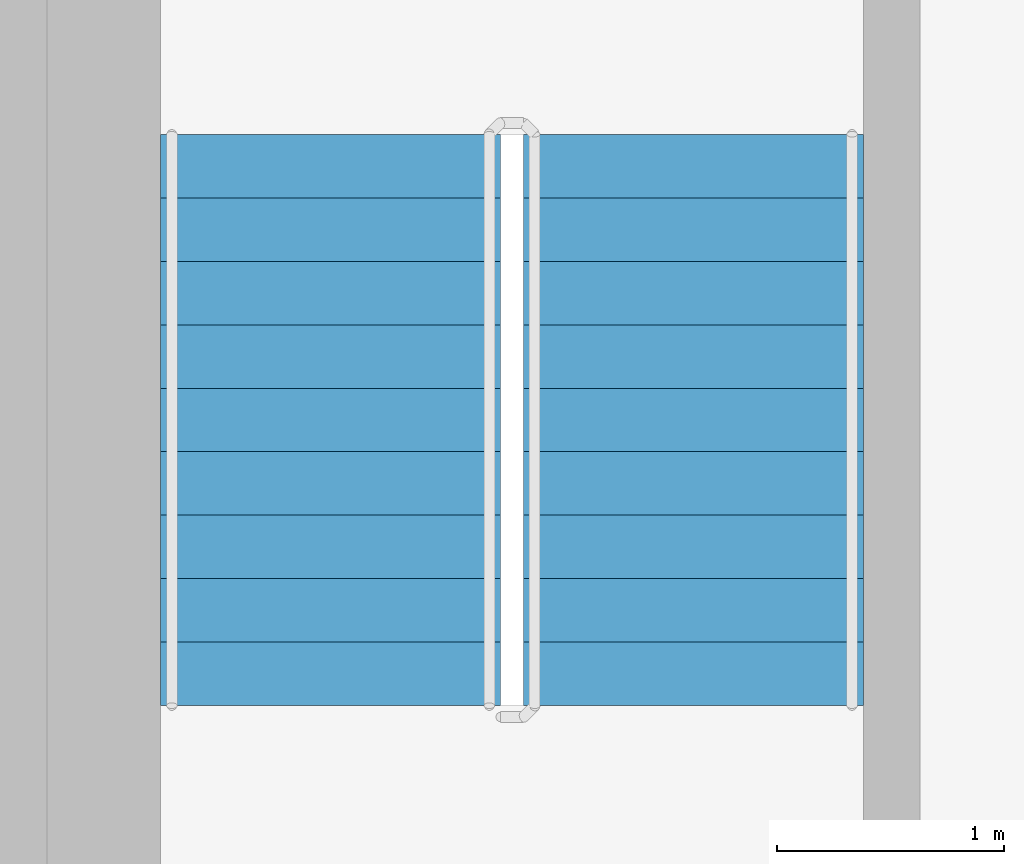
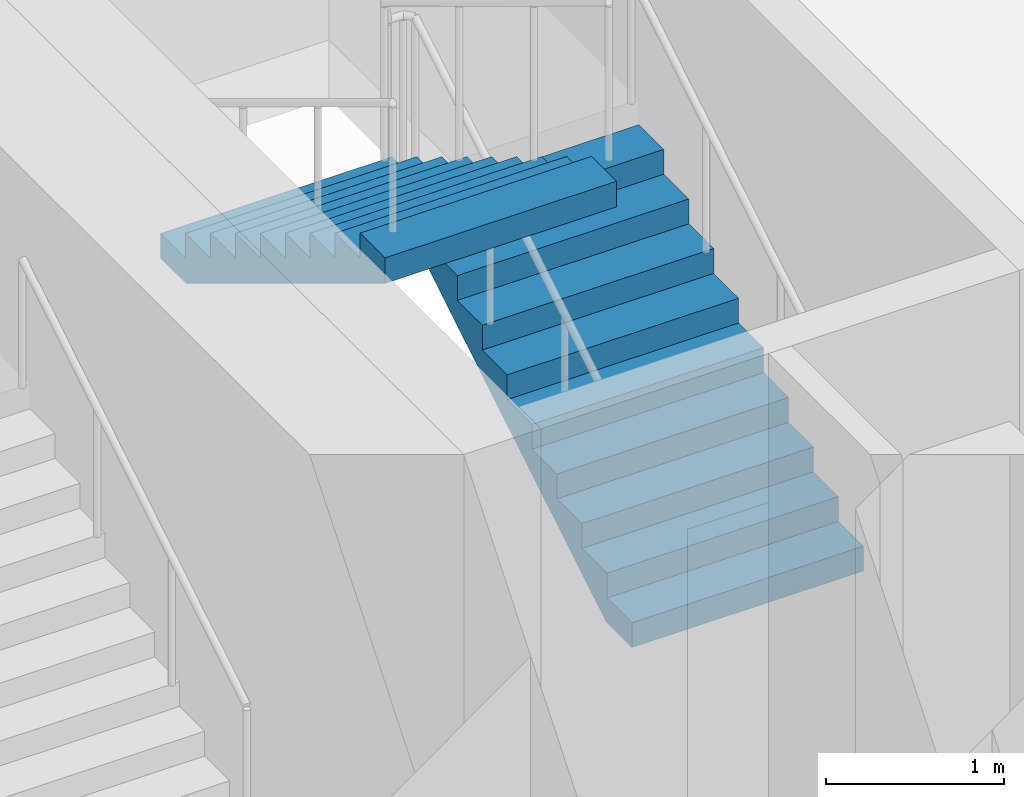
# One storey, part 14 of 16: 2 stair flights, 1 element without a shape of its own.
"""IFC4 building model written with IfcOpenShell, lengths in metres."""

from ifc_helpers import new_model, si_unit, direction, frame, origin, place, context, subcontext, project, spatial, triangles, source, transform, mapped, material, type_object, element, aggregate, save


model = new_model("IFC4")

# Units and contexts
model_context = context("Model", 3, precision=1e-05, world=origin(), true_north=direction((0.0, 1.0)))
body_context = subcontext(model_context, "Body", "Model", "MODEL_VIEW")
ifc_project = project(units=[si_unit("LENGTHUNIT", "METRE"), si_unit("AREAUNIT", "SQUARE_METRE"), si_unit("VOLUMEUNIT", "CUBIC_METRE"), si_unit("PLANEANGLEUNIT", "RADIAN"), si_unit("MASSUNIT", "GRAM", prefix="KILO")], contexts=[model_context])

# Site, building, storey
site_placement = place(None, origin())
site = spatial("IfcSite", under=ifc_project, at=site_placement, CompositionType="ELEMENT")
building_placement = place(site_placement, origin())
building = spatial("IfcBuilding", under=site, at=building_placement, Name="Kilnfold Tower and Market Hall", CompositionType="ELEMENT")
storey_placement = place(building_placement, frame((0.0, 0.0, 199.89990234375)))
storey = spatial("IfcBuildingStorey", under=building, at=storey_placement, Name="L48", CompositionType="ELEMENT", Elevation=199.89990234375)

# Stair, stair flights
ifc_material_1 = material(Name="Concrete C40/50", Category="concrete")
stair_type = type_object("IfcStairType", Name="CORE STAIR 1500", PredefinedType="HALF_TURN_STAIR", material=ifc_material_1)
stair_placement = place(storey_placement, origin())
stair = element("IfcStair", 1, at=stair_placement, inside=storey, type_object=stair_type, Name="L48 ST5", PredefinedType="HALF_TURN_STAIR")
ifc_material_2 = material(Name="Concrete C40/50", Category="concrete")
stair_flight_type = type_object("IfcStairFlightType", Name="CORE STAIR FLIGHT 1500", PredefinedType="STRAIGHT", material=ifc_material_2)
shared_shape = source(origin(), body_context, "Body", "Tessellation", [
    triangles([(0.0, 0.75, 0.0), (0.0, 0.65625, 0.0), (0.0, 0.5625, 0.0), (0.0, 0.46875, 0.0), (0.0, 0.375, 0.0), (0.0, 0.28125, 0.0), (0.0, 0.1875, 0.0), (0.0, 0.09375, 0.0), (0.0, 0.0, 0.0), (0.0, -0.09375, 0.0), (0.0, -0.1875, 0.0), (0.0, -0.28125, 0.0), (0.0, -0.375, 0.0), (0.0, -0.46875, 0.0), (0.0, -0.5625, 0.0), (0.0, -0.65625, 0.0), (0.0, -0.75, 0.0), (0.0, 0.75, 0.169921875), (0.0, 0.65625, 0.169921875), (0.0, 0.5625, 0.169921875), (0.0, 0.46875, 0.169921875), (0.0, 0.375, 0.169921875), (0.0, 0.28125, 0.169921875), (0.0, 0.1875, 0.169921875), (0.0, 0.09375, 0.169921875), (0.0, 0.0, 0.169921875), (0.0, -0.09375, 0.169921875), (0.0, -0.1875, 0.169921875), (0.0, -0.28125, 0.169921875), (0.0, -0.375, 0.169921875), (0.0, -0.46875, 0.169921875), (0.0, -0.5625, 0.169921875), (0.0, -0.65625, 0.169921875), (0.0, -0.75, 0.169921875), (0.280029296875, 0.75, 0.169921875), (0.280029296875, 0.65625, 0.169921875), (0.280029296875, 0.5625, 0.169921875), (0.280029296875, 0.46875, 0.169921875), (0.280029296875, 0.375, 0.169921875), (0.280029296875, 0.28125, 0.169921875), (0.280029296875, 0.1875, 0.169921875), (0.280029296875, 0.09375, 0.169921875), (0.280029296875, 0.0, 0.169921875), (0.280029296875, -0.09375, 0.169921875), (0.280029296875, -0.1875, 0.169921875), (0.280029296875, -0.28125, 0.169921875), (0.280029296875, -0.375, 0.169921875), (0.280029296875, -0.46875, 0.169921875), (0.280029296875, -0.5625, 0.169921875), (0.280029296875, -0.65625, 0.169921875), (0.280029296875, -0.75, 0.169921875), (0.280029296875, 0.75, 0.340087890625), (0.280029296875, 0.65625, 0.340087890625), (0.280029296875, 0.5625, 0.340087890625), (0.280029296875, 0.46875, 0.340087890625), (0.280029296875, 0.375, 0.340087890625), (0.280029296875, 0.28125, 0.340087890625), (0.280029296875, 0.1875, 0.340087890625), (0.280029296875, 0.09375, 0.340087890625), (0.280029296875, 0.0, 0.340087890625), (0.280029296875, -0.09375, 0.340087890625), (0.280029296875, -0.1875, 0.340087890625), (0.280029296875, -0.28125, 0.340087890625), (0.280029296875, -0.375, 0.340087890625), (0.280029296875, -0.46875, 0.340087890625), (0.280029296875, -0.5625, 0.340087890625), (0.280029296875, -0.65625, 0.340087890625), (0.280029296875, -0.75, 0.340087890625), (0.56005859375, 0.75, 0.340087890625), (0.56005859375, 0.65625, 0.340087890625), (0.56005859375, 0.5625, 0.340087890625), (0.56005859375, 0.46875, 0.340087890625), (0.56005859375, 0.375, 0.340087890625), (0.56005859375, 0.28125, 0.340087890625), (0.56005859375, 0.1875, 0.340087890625), (0.56005859375, 0.09375, 0.340087890625), (0.56005859375, 0.0, 0.340087890625), (0.56005859375, -0.09375, 0.340087890625), (0.56005859375, -0.1875, 0.340087890625), (0.56005859375, -0.28125, 0.340087890625), (0.56005859375, -0.375, 0.340087890625), (0.56005859375, -0.46875, 0.340087890625), (0.56005859375, -0.5625, 0.340087890625), (0.56005859375, -0.65625, 0.340087890625), (0.56005859375, -0.75, 0.340087890625), (0.56005859375, 0.75, 0.510009765625), (0.56005859375, 0.65625, 0.510009765625), (0.56005859375, 0.5625, 0.510009765625), (0.56005859375, 0.46875, 0.510009765625), (0.56005859375, 0.375, 0.510009765625), (0.56005859375, 0.28125, 0.510009765625), (0.56005859375, 0.1875, 0.510009765625), (0.56005859375, 0.09375, 0.510009765625), (0.56005859375, 0.0, 0.510009765625), (0.56005859375, -0.09375, 0.510009765625), (0.56005859375, -0.1875, 0.510009765625), (0.56005859375, -0.28125, 0.510009765625), (0.56005859375, -0.375, 0.510009765625), (0.56005859375, -0.46875, 0.510009765625), (0.56005859375, -0.5625, 0.510009765625), (0.56005859375, -0.65625, 0.510009765625), (0.56005859375, -0.75, 0.510009765625), (0.840087890625, 0.75, 0.510009765625), (0.840087890625, 0.65625, 0.510009765625), (0.840087890625, 0.5625, 0.510009765625), (0.840087890625, 0.46875, 0.510009765625), (0.840087890625, 0.375, 0.510009765625), (0.840087890625, 0.28125, 0.510009765625), (0.840087890625, 0.1875, 0.510009765625), (0.840087890625, 0.09375, 0.510009765625), (0.840087890625, 0.0, 0.510009765625), (0.840087890625, -0.09375, 0.510009765625), (0.840087890625, -0.1875, 0.510009765625), (0.840087890625, -0.28125, 0.510009765625), (0.840087890625, -0.375, 0.510009765625), (0.840087890625, -0.46875, 0.510009765625), (0.840087890625, -0.5625, 0.510009765625), (0.840087890625, -0.65625, 0.510009765625), (0.840087890625, -0.75, 0.510009765625), (0.840087890625, 0.75, 0.679931640625), (0.840087890625, 0.65625, 0.679931640625), (0.840087890625, 0.5625, 0.679931640625), (0.840087890625, 0.46875, 0.679931640625), (0.840087890625, 0.375, 0.679931640625), (0.840087890625, 0.28125, 0.679931640625), (0.840087890625, 0.1875, 0.679931640625), (0.840087890625, 0.09375, 0.679931640625), (0.840087890625, 0.0, 0.679931640625), (0.840087890625, -0.09375, 0.679931640625), (0.840087890625, -0.1875, 0.679931640625), (0.840087890625, -0.28125, 0.679931640625), (0.840087890625, -0.375, 0.679931640625), (0.840087890625, -0.46875, 0.679931640625), (0.840087890625, -0.5625, 0.679931640625), (0.840087890625, -0.65625, 0.679931640625), (0.840087890625, -0.75, 0.679931640625), (1.1201171875, 0.75, 0.679931640625), (1.1201171875, 0.65625, 0.679931640625), (1.1201171875, 0.5625, 0.679931640625), (1.1201171875, 0.46875, 0.679931640625), (1.1201171875, 0.375, 0.679931640625), (1.1201171875, 0.28125, 0.679931640625), (1.1201171875, 0.1875, 0.679931640625), (1.1201171875, 0.09375, 0.679931640625), (1.1201171875, 0.0, 0.679931640625), (1.1201171875, -0.09375, 0.679931640625), (1.1201171875, -0.1875, 0.679931640625), (1.1201171875, -0.28125, 0.679931640625), (1.1201171875, -0.375, 0.679931640625), (1.1201171875, -0.46875, 0.679931640625), (1.1201171875, -0.5625, 0.679931640625), (1.1201171875, -0.65625, 0.679931640625), (1.1201171875, -0.75, 0.679931640625), (1.1201171875, 0.75, 0.85009765625), (1.1201171875, 0.65625, 0.85009765625), (1.1201171875, 0.5625, 0.85009765625), (1.1201171875, 0.46875, 0.85009765625), (1.1201171875, 0.375, 0.85009765625), (1.1201171875, 0.28125, 0.85009765625), (1.1201171875, 0.1875, 0.85009765625), (1.1201171875, 0.09375, 0.85009765625), (1.1201171875, 0.0, 0.85009765625), (1.1201171875, -0.09375, 0.85009765625), (1.1201171875, -0.1875, 0.85009765625), (1.1201171875, -0.28125, 0.85009765625), (1.1201171875, -0.375, 0.85009765625), (1.1201171875, -0.46875, 0.85009765625), (1.1201171875, -0.5625, 0.85009765625), (1.1201171875, -0.65625, 0.85009765625), (1.1201171875, -0.75, 0.85009765625), (1.39990234375, 0.75, 0.85009765625), (1.39990234375, 0.65625, 0.85009765625), (1.39990234375, 0.5625, 0.85009765625), (1.39990234375, 0.46875, 0.85009765625), (1.39990234375, 0.375, 0.85009765625), (1.39990234375, 0.28125, 0.85009765625), (1.39990234375, 0.1875, 0.85009765625), (1.39990234375, 0.09375, 0.85009765625), (1.39990234375, 0.0, 0.85009765625), (1.39990234375, -0.09375, 0.85009765625), (1.39990234375, -0.1875, 0.85009765625), (1.39990234375, -0.28125, 0.85009765625), (1.39990234375, -0.375, 0.85009765625), (1.39990234375, -0.46875, 0.85009765625), (1.39990234375, -0.5625, 0.85009765625), (1.39990234375, -0.65625, 0.85009765625), (1.39990234375, -0.75, 0.85009765625), (1.39990234375, 0.75, 1.02001953125), (1.39990234375, 0.65625, 1.02001953125), (1.39990234375, 0.5625, 1.02001953125), (1.39990234375, 0.46875, 1.02001953125), (1.39990234375, 0.375, 1.02001953125), (1.39990234375, 0.28125, 1.02001953125), (1.39990234375, 0.1875, 1.02001953125), (1.39990234375, 0.09375, 1.02001953125), (1.39990234375, 0.0, 1.02001953125), (1.39990234375, -0.09375, 1.02001953125), (1.39990234375, -0.1875, 1.02001953125), (1.39990234375, -0.28125, 1.02001953125), (1.39990234375, -0.375, 1.02001953125), (1.39990234375, -0.46875, 1.02001953125), (1.39990234375, -0.5625, 1.02001953125), (1.39990234375, -0.65625, 1.02001953125), (1.39990234375, -0.75, 1.02001953125), (1.679931640625, 0.75, 1.02001953125), (1.679931640625, 0.65625, 1.02001953125), (1.679931640625, 0.5625, 1.02001953125), (1.679931640625, 0.46875, 1.02001953125), (1.679931640625, 0.375, 1.02001953125), (1.679931640625, 0.28125, 1.02001953125), (1.679931640625, 0.1875, 1.02001953125), (1.679931640625, 0.09375, 1.02001953125), (1.679931640625, 0.0, 1.02001953125), (1.679931640625, -0.09375, 1.02001953125), (1.679931640625, -0.1875, 1.02001953125), (1.679931640625, -0.28125, 1.02001953125), (1.679931640625, -0.375, 1.02001953125), (1.679931640625, -0.46875, 1.02001953125), (1.679931640625, -0.5625, 1.02001953125), (1.679931640625, -0.65625, 1.02001953125), (1.679931640625, -0.75, 1.02001953125), (1.679931640625, 0.75, 1.18994140625), (1.679931640625, 0.65625, 1.18994140625), (1.679931640625, 0.5625, 1.18994140625), (1.679931640625, 0.46875, 1.18994140625), (1.679931640625, 0.375, 1.18994140625), (1.679931640625, 0.28125, 1.18994140625), (1.679931640625, 0.1875, 1.18994140625), (1.679931640625, 0.09375, 1.18994140625), (1.679931640625, 0.0, 1.18994140625), (1.679931640625, -0.09375, 1.18994140625), (1.679931640625, -0.1875, 1.18994140625), (1.679931640625, -0.28125, 1.18994140625), (1.679931640625, -0.375, 1.18994140625), (1.679931640625, -0.46875, 1.18994140625), (1.679931640625, -0.5625, 1.18994140625), (1.679931640625, -0.65625, 1.18994140625), (1.679931640625, -0.75, 1.18994140625), (1.9599609375, 0.75, 1.18994140625), (1.9599609375, 0.65625, 1.18994140625), (1.9599609375, 0.5625, 1.18994140625), (1.9599609375, 0.46875, 1.18994140625), (1.9599609375, 0.375, 1.18994140625), (1.9599609375, 0.28125, 1.18994140625), (1.9599609375, 0.1875, 1.18994140625), (1.9599609375, 0.09375, 1.18994140625), (1.9599609375, 0.0, 1.18994140625), (1.9599609375, -0.09375, 1.18994140625), (1.9599609375, -0.1875, 1.18994140625), (1.9599609375, -0.28125, 1.18994140625), (1.9599609375, -0.375, 1.18994140625), (1.9599609375, -0.46875, 1.18994140625), (1.9599609375, -0.5625, 1.18994140625), (1.9599609375, -0.65625, 1.18994140625), (1.9599609375, -0.75, 1.18994140625), (1.9599609375, 0.75, 1.360107421875), (1.9599609375, 0.65625, 1.360107421875), (1.9599609375, 0.5625, 1.360107421875), (1.9599609375, 0.46875, 1.360107421875), (1.9599609375, 0.375, 1.360107421875), (1.9599609375, 0.28125, 1.360107421875), (1.9599609375, 0.1875, 1.360107421875), (1.9599609375, 0.09375, 1.360107421875), (1.9599609375, 0.0, 1.360107421875), (1.9599609375, -0.09375, 1.360107421875), (1.9599609375, -0.1875, 1.360107421875), (1.9599609375, -0.28125, 1.360107421875), (1.9599609375, -0.375, 1.360107421875), (1.9599609375, -0.46875, 1.360107421875), (1.9599609375, -0.5625, 1.360107421875), (1.9599609375, -0.65625, 1.360107421875), (1.9599609375, -0.75, 1.360107421875), (2.239990234375, 0.75, 1.360107421875), (2.239990234375, 0.65625, 1.360107421875), (2.239990234375, 0.5625, 1.360107421875), (2.239990234375, 0.46875, 1.360107421875), (2.239990234375, 0.375, 1.360107421875), (2.239990234375, 0.28125, 1.360107421875), (2.239990234375, 0.1875, 1.360107421875), (2.239990234375, 0.09375, 1.360107421875), (2.239990234375, 0.0, 1.360107421875), (2.239990234375, -0.09375, 1.360107421875), (2.239990234375, -0.1875, 1.360107421875), (2.239990234375, -0.28125, 1.360107421875), (2.239990234375, -0.375, 1.360107421875), (2.239990234375, -0.46875, 1.360107421875), (2.239990234375, -0.5625, 1.360107421875), (2.239990234375, -0.65625, 1.360107421875), (2.239990234375, -0.75, 1.360107421875), (2.239990234375, 0.75, 1.530029296875), (2.239990234375, 0.65625, 1.530029296875), (2.239990234375, 0.5625, 1.530029296875), (2.239990234375, 0.46875, 1.530029296875), (2.239990234375, 0.375, 1.530029296875), (2.239990234375, 0.28125, 1.530029296875), (2.239990234375, 0.1875, 1.530029296875), (2.239990234375, 0.09375, 1.530029296875), (2.239990234375, 0.0, 1.530029296875), (2.239990234375, -0.09375, 1.530029296875), (2.239990234375, -0.1875, 1.530029296875), (2.239990234375, -0.28125, 1.530029296875), (2.239990234375, -0.375, 1.530029296875), (2.239990234375, -0.46875, 1.530029296875), (2.239990234375, -0.5625, 1.530029296875), (2.239990234375, -0.65625, 1.530029296875), (2.239990234375, -0.75, 1.530029296875), (2.52001953125, 0.75, 1.530029296875), (2.52001953125, 0.65625, 1.530029296875), (2.52001953125, 0.5625, 1.530029296875), (2.52001953125, 0.46875, 1.530029296875), (2.52001953125, 0.375, 1.530029296875), (2.52001953125, 0.28125, 1.530029296875), (2.52001953125, 0.1875, 1.530029296875), (2.52001953125, 0.09375, 1.530029296875), (2.52001953125, 0.0, 1.530029296875), (2.52001953125, -0.09375, 1.530029296875), (2.52001953125, -0.1875, 1.530029296875), (2.52001953125, -0.28125, 1.530029296875), (2.52001953125, -0.375, 1.530029296875), (2.52001953125, -0.46875, 1.530029296875), (2.52001953125, -0.5625, 1.530029296875), (2.52001953125, -0.65625, 1.530029296875), (2.52001953125, -0.75, 1.530029296875), (2.52001953125, 0.75, 1.354736328125), (2.52001953125, 0.65625, 1.354736328125), (2.52001953125, 0.5625, 1.354736328125), (2.52001953125, 0.46875, 1.354736328125), (2.52001953125, 0.375, 1.354736328125), (2.52001953125, 0.28125, 1.354736328125), (2.52001953125, 0.1875, 1.354736328125), (2.52001953125, 0.09375, 1.354736328125), (2.52001953125, 0.0, 1.354736328125), (2.52001953125, -0.09375, 1.354736328125), (2.52001953125, -0.1875, 1.354736328125), (2.52001953125, -0.28125, 1.354736328125), (2.52001953125, -0.375, 1.354736328125), (2.52001953125, -0.46875, 1.354736328125), (2.52001953125, -0.5625, 1.354736328125), (2.52001953125, -0.65625, 1.354736328125), (2.52001953125, -0.75, 1.354736328125), (0.288818359375, 0.75, 0.0), (0.288818359375, 0.65625, 0.0), (0.288818359375, 0.5625, 0.0), (0.288818359375, 0.46875, 0.0), (0.288818359375, 0.375, 0.0), (0.288818359375, 0.28125, 0.0), (0.288818359375, 0.1875, 0.0), (0.288818359375, 0.09375, 0.0), (0.288818359375, 0.0, 0.0), (0.288818359375, -0.09375, 0.0), (0.288818359375, -0.1875, 0.0), (0.288818359375, -0.28125, 0.0), (0.288818359375, -0.375, 0.0), (0.288818359375, -0.46875, 0.0), (0.288818359375, -0.5625, 0.0), (0.288818359375, -0.65625, 0.0), (0.288818359375, -0.75, 0.0)], [[1, 324, 341], [17, 357, 340], [324, 290, 307], [340, 323, 306], [324, 273, 290], [340, 306, 289], [324, 256, 273], [340, 289, 272], [324, 239, 256], [340, 272, 255], [239, 205, 222], [255, 238, 221], [324, 205, 239], [340, 255, 221], [205, 171, 188], [221, 204, 187], [324, 171, 205], [340, 221, 187], [171, 137, 154], [187, 170, 153], [324, 137, 171], [340, 187, 153], [137, 103, 120], [153, 136, 119], [324, 103, 137], [340, 153, 119], [103, 69, 86], [119, 102, 85], [324, 69, 103], [340, 119, 85], [69, 35, 52], [85, 68, 51], [324, 35, 69], [340, 85, 51], [1, 35, 324], [17, 340, 51], [35, 1, 18], [51, 34, 17], [1, 19, 18], [1, 2, 19], [2, 20, 19], [2, 3, 20], [3, 21, 20], [3, 4, 21], [4, 22, 21], [4, 5, 22], [5, 23, 22], [5, 6, 23], [6, 24, 23], [6, 7, 24], [7, 25, 24], [7, 8, 25], [8, 26, 25], [8, 9, 26], [9, 27, 26], [9, 10, 27], [10, 28, 27], [10, 11, 28], [11, 29, 28], [11, 12, 29], [12, 30, 29], [12, 13, 30], [13, 31, 30], [13, 14, 31], [14, 32, 31], [14, 15, 32], [15, 33, 32], [15, 16, 33], [16, 34, 33], [16, 17, 34], [18, 36, 35], [18, 19, 36], [19, 37, 36], [19, 20, 37], [20, 38, 37], [20, 21, 38], [21, 39, 38], [21, 22, 39], [22, 40, 39], [22, 23, 40], [23, 41, 40], [23, 24, 41], [24, 42, 41], [24, 25, 42], [25, 43, 42], [25, 26, 43], [26, 44, 43], [26, 27, 44], [27, 45, 44], [27, 28, 45], [28, 46, 45], [28, 29, 46], [29, 47, 46], [29, 30, 47], [30, 48, 47], [30, 31, 48], [31, 49, 48], [31, 32, 49], [32, 50, 49], [32, 33, 50], [33, 51, 50], [33, 34, 51], [35, 53, 52], [35, 36, 53], [36, 54, 53], [36, 37, 54], [37, 55, 54], [37, 38, 55], [38, 56, 55], [38, 39, 56], [39, 57, 56], [39, 40, 57], [40, 58, 57], [40, 41, 58], [41, 59, 58], [41, 42, 59], [42, 60, 59], [42, 43, 60], [43, 61, 60], [43, 44, 61], [44, 62, 61], [44, 45, 62], [45, 63, 62], [45, 46, 63], [46, 64, 63], [46, 47, 64], [47, 65, 64], [47, 48, 65], [48, 66, 65], [48, 49, 66], [49, 67, 66], [49, 50, 67], [50, 68, 67], [50, 51, 68], [52, 70, 69], [52, 53, 70], [53, 71, 70], [53, 54, 71], [54, 72, 71], [54, 55, 72], [55, 73, 72], [55, 56, 73], [56, 74, 73], [56, 57, 74], [57, 75, 74], [57, 58, 75], [58, 76, 75], [58, 59, 76], [59, 77, 76], [59, 60, 77], [60, 78, 77], [60, 61, 78], [61, 79, 78], [61, 62, 79], [62, 80, 79], [62, 63, 80], [63, 81, 80], [63, 64, 81], [64, 82, 81], [64, 65, 82], [65, 83, 82], [65, 66, 83], [66, 84, 83], [66, 67, 84], [67, 85, 84], [67, 68, 85], [69, 87, 86], [69, 70, 87], [70, 88, 87], [70, 71, 88], [71, 89, 88], [71, 72, 89], [72, 90, 89], [72, 73, 90], [73, 91, 90], [73, 74, 91], [74, 92, 91], [74, 75, 92], [75, 93, 92], [75, 76, 93], [76, 94, 93], [76, 77, 94], [77, 95, 94], [77, 78, 95], [78, 96, 95], [78, 79, 96], [79, 97, 96], [79, 80, 97], [80, 98, 97], [80, 81, 98], [81, 99, 98], [81, 82, 99], [82, 100, 99], [82, 83, 100], [83, 101, 100], [83, 84, 101], [84, 102, 101], [84, 85, 102], [86, 104, 103], [86, 87, 104], [87, 105, 104], [87, 88, 105], [88, 106, 105], [88, 89, 106], [89, 107, 106], [89, 90, 107], [90, 108, 107], [90, 91, 108], [91, 109, 108], [91, 92, 109], [92, 110, 109], [92, 93, 110], [93, 111, 110], [93, 94, 111], [94, 112, 111], [94, 95, 112], [95, 113, 112], [95, 96, 113], [96, 114, 113], [96, 97, 114], [97, 115, 114], [97, 98, 115], [98, 116, 115], [98, 99, 116], [99, 117, 116], [99, 100, 117], [100, 118, 117], [100, 101, 118], [101, 119, 118], [101, 102, 119], [103, 121, 120], [103, 104, 121], [104, 122, 121], [104, 105, 122], [105, 123, 122], [105, 106, 123], [106, 124, 123], [106, 107, 124], [107, 125, 124], [107, 108, 125], [108, 126, 125], [108, 109, 126], [109, 127, 126], [109, 110, 127], [110, 128, 127], [110, 111, 128], [111, 129, 128], [111, 112, 129], [112, 130, 129], [112, 113, 130], [113, 131, 130], [113, 114, 131], [114, 132, 131], [114, 115, 132], [115, 133, 132], [115, 116, 133], [116, 134, 133], [116, 117, 134], [117, 135, 134], [117, 118, 135], [118, 136, 135], [118, 119, 136], [120, 138, 137], [120, 121, 138], [121, 139, 138], [121, 122, 139], [122, 140, 139], [122, 123, 140], [123, 141, 140], [123, 124, 141], [124, 142, 141], [124, 125, 142], [125, 143, 142], [125, 126, 143], [126, 144, 143], [126, 127, 144], [127, 145, 144], [127, 128, 145], [128, 146, 145], [128, 129, 146], [129, 147, 146], [129, 130, 147], [130, 148, 147], [130, 131, 148], [131, 149, 148], [131, 132, 149], [132, 150, 149], [132, 133, 150], [133, 151, 150], [133, 134, 151], [134, 152, 151], [134, 135, 152], [135, 153, 152], [135, 136, 153], [137, 155, 154], [137, 138, 155], [138, 156, 155], [138, 139, 156], [139, 157, 156], [139, 140, 157], [140, 158, 157], [140, 141, 158], [141, 159, 158], [141, 142, 159], [142, 160, 159], [142, 143, 160], [143, 161, 160], [143, 144, 161], [144, 162, 161], [144, 145, 162], [145, 163, 162], [145, 146, 163], [146, 164, 163], [146, 147, 164], [147, 165, 164], [147, 148, 165], [148, 166, 165], [148, 149, 166], [149, 167, 166], [149, 150, 167], [150, 168, 167], [150, 151, 168], [151, 169, 168], [151, 152, 169], [152, 170, 169], [152, 153, 170], [154, 172, 171], [154, 155, 172], [155, 173, 172], [155, 156, 173], [156, 174, 173], [156, 157, 174], [157, 175, 174], [157, 158, 175], [158, 176, 175], [158, 159, 176], [159, 177, 176], [159, 160, 177], [160, 178, 177], [160, 161, 178], [161, 179, 178], [161, 162, 179], [162, 180, 179], [162, 163, 180], [163, 181, 180], [163, 164, 181], [164, 182, 181], [164, 165, 182], [165, 183, 182], [165, 166, 183], [166, 184, 183], [166, 167, 184], [167, 185, 184], [167, 168, 185], [168, 186, 185], [168, 169, 186], [169, 187, 186], [169, 170, 187], [171, 189, 188], [171, 172, 189], [172, 190, 189], [172, 173, 190], [173, 191, 190], [173, 174, 191], [174, 192, 191], [174, 175, 192], [175, 193, 192], [175, 176, 193], [176, 194, 193], [176, 177, 194], [177, 195, 194], [177, 178, 195], [178, 196, 195], [178, 179, 196], [179, 197, 196], [179, 180, 197], [180, 198, 197], [180, 181, 198], [181, 199, 198], [181, 182, 199], [182, 200, 199], [182, 183, 200], [183, 201, 200], [183, 184, 201], [184, 202, 201], [184, 185, 202], [185, 203, 202], [185, 186, 203], [186, 204, 203], [186, 187, 204], [188, 206, 205], [188, 189, 206], [189, 207, 206], [189, 190, 207], [190, 208, 207], [190, 191, 208], [191, 209, 208], [191, 192, 209], [192, 210, 209], [192, 193, 210], [193, 211, 210], [193, 194, 211], [194, 212, 211], [194, 195, 212], [195, 213, 212], [195, 196, 213], [196, 214, 213], [196, 197, 214], [197, 215, 214], [197, 198, 215], [198, 216, 215], [198, 199, 216], [199, 217, 216], [199, 200, 217], [200, 218, 217], [200, 201, 218], [201, 219, 218], [201, 202, 219], [202, 220, 219], [202, 203, 220], [203, 221, 220], [203, 204, 221], [205, 223, 222], [205, 206, 223], [206, 224, 223], [206, 207, 224], [207, 225, 224], [207, 208, 225], [208, 226, 225], [208, 209, 226], [209, 227, 226], [209, 210, 227], [210, 228, 227], [210, 211, 228], [211, 229, 228], [211, 212, 229], [212, 230, 229], [212, 213, 230], [213, 231, 230], [213, 214, 231], [214, 232, 231], [214, 215, 232], [215, 233, 232], [215, 216, 233], [216, 234, 233], [216, 217, 234], [217, 235, 234], [217, 218, 235], [218, 236, 235], [218, 219, 236], [219, 237, 236], [219, 220, 237], [220, 238, 237], [220, 221, 238], [222, 240, 239], [222, 223, 240], [223, 241, 240], [223, 224, 241], [224, 242, 241], [224, 225, 242], [225, 243, 242], [225, 226, 243], [226, 244, 243], [226, 227, 244], [227, 245, 244], [227, 228, 245], [228, 246, 245], [228, 229, 246], [229, 247, 246], [229, 230, 247], [230, 248, 247], [230, 231, 248], [231, 249, 248], [231, 232, 249], [232, 250, 249], [232, 233, 250], [233, 251, 250], [233, 234, 251], [234, 252, 251], [234, 235, 252], [235, 253, 252], [235, 236, 253], [236, 254, 253], [236, 237, 254], [237, 255, 254], [237, 238, 255], [239, 257, 256], [239, 240, 257], [240, 258, 257], [240, 241, 258], [241, 259, 258], [241, 242, 259], [242, 260, 259], [242, 243, 260], [243, 261, 260], [243, 244, 261], [244, 262, 261], [244, 245, 262], [245, 263, 262], [245, 246, 263], [246, 264, 263], [246, 247, 264], [247, 265, 264], [247, 248, 265], [248, 266, 265], [248, 249, 266], [249, 267, 266], [249, 250, 267], [250, 268, 267], [250, 251, 268], [251, 269, 268], [251, 252, 269], [252, 270, 269], [252, 253, 270], [253, 271, 270], [253, 254, 271], [254, 272, 271], [254, 255, 272], [256, 274, 273], [256, 257, 274], [257, 275, 274], [257, 258, 275], [258, 276, 275], [258, 259, 276], [259, 277, 276], [259, 260, 277], [260, 278, 277], [260, 261, 278], [261, 279, 278], [261, 262, 279], [262, 280, 279], [262, 263, 280], [263, 281, 280], [263, 264, 281], [264, 282, 281], [264, 265, 282], [265, 283, 282], [265, 266, 283], [266, 284, 283], [266, 267, 284], [267, 285, 284], [267, 268, 285], [268, 286, 285], [268, 269, 286], [269, 287, 286], [269, 270, 287], [270, 288, 287], [270, 271, 288], [271, 289, 288], [271, 272, 289], [273, 291, 290], [273, 274, 291], [274, 292, 291], [274, 275, 292], [275, 293, 292], [275, 276, 293], [276, 294, 293], [276, 277, 294], [277, 295, 294], [277, 278, 295], [278, 296, 295], [278, 279, 296], [279, 297, 296], [279, 280, 297], [280, 298, 297], [280, 281, 298], [281, 299, 298], [281, 282, 299], [282, 300, 299], [282, 283, 300], [283, 301, 300], [283, 284, 301], [284, 302, 301], [284, 285, 302], [285, 303, 302], [285, 286, 303], [286, 304, 303], [286, 287, 304], [287, 305, 304], [287, 288, 305], [288, 306, 305], [288, 289, 306], [290, 308, 307], [290, 291, 308], [291, 309, 308], [291, 292, 309], [292, 310, 309], [292, 293, 310], [293, 311, 310], [293, 294, 311], [294, 312, 311], [294, 295, 312], [295, 313, 312], [295, 296, 313], [296, 314, 313], [296, 297, 314], [297, 315, 314], [297, 298, 315], [298, 316, 315], [298, 299, 316], [299, 317, 316], [299, 300, 317], [300, 318, 317], [300, 301, 318], [301, 319, 318], [301, 302, 319], [302, 320, 319], [302, 303, 320], [303, 321, 320], [303, 304, 321], [304, 322, 321], [304, 305, 322], [305, 323, 322], [305, 306, 323], [307, 325, 324], [307, 308, 325], [308, 326, 325], [308, 309, 326], [309, 327, 326], [309, 310, 327], [310, 328, 327], [310, 311, 328], [311, 329, 328], [311, 312, 329], [312, 330, 329], [312, 313, 330], [313, 331, 330], [313, 314, 331], [314, 332, 331], [314, 315, 332], [315, 333, 332], [315, 316, 333], [316, 334, 333], [316, 317, 334], [317, 335, 334], [317, 318, 335], [318, 336, 335], [318, 319, 336], [319, 337, 336], [319, 320, 337], [320, 338, 337], [320, 321, 338], [321, 339, 338], [321, 322, 339], [322, 340, 339], [322, 323, 340], [324, 342, 341], [324, 325, 342], [325, 343, 342], [325, 326, 343], [326, 344, 343], [326, 327, 344], [327, 345, 344], [327, 328, 345], [328, 346, 345], [328, 329, 346], [329, 347, 346], [329, 330, 347], [330, 348, 347], [330, 331, 348], [331, 349, 348], [331, 332, 349], [332, 350, 349], [332, 333, 350], [333, 351, 350], [333, 334, 351], [334, 352, 351], [334, 335, 352], [335, 353, 352], [335, 336, 353], [336, 354, 353], [336, 337, 354], [337, 355, 354], [337, 338, 355], [338, 356, 355], [338, 339, 356], [339, 357, 356], [339, 340, 357], [341, 2, 1], [341, 342, 2], [342, 3, 2], [342, 343, 3], [343, 4, 3], [343, 344, 4], [344, 5, 4], [344, 345, 5], [345, 6, 5], [345, 346, 6], [346, 7, 6], [346, 347, 7], [347, 8, 7], [347, 348, 8], [348, 9, 8], [348, 349, 9], [349, 10, 9], [349, 350, 10], [350, 11, 10], [350, 351, 11], [351, 12, 11], [351, 352, 12], [352, 13, 12], [352, 353, 13], [353, 14, 13], [353, 354, 14], [354, 15, 14], [354, 355, 15], [355, 16, 15], [355, 356, 16], [356, 17, 16], [356, 357, 17]], closed=True),
])
stair_flight_1_placement = place(storey_placement, frame((20.699951171875, 11.5, 0.0), z_axis=(0.0, 0.0, 1.0), x_axis=(0.0, 1.0, 0.0)))
stair_flight_1 = element("IfcStairFlight", 2, at=stair_flight_1_placement, type_object=stair_flight_type, Name="ST5 flight 1", NumberOfRisers=10, NumberOfTreads=9, PredefinedType="STRAIGHT", RiserHeight=0.17, TreadLength=0.28, context=body_context, shape_type="MappedRepresentation", body=[
    mapped(shared_shape, transform((0.0, 0.0, 0.0))),
])
stair_flight_2_placement = place(storey_placement, frame((19.10009765625, 14.02001953125, 1.7001953125), z_axis=(0.0, 0.0, 1.0), x_axis=(0.0, -1.0, 0.0)))
stair_flight_2 = element("IfcStairFlight", 3, at=stair_flight_2_placement, type_object=stair_flight_type, Name="ST5 flight 2", NumberOfRisers=10, NumberOfTreads=9, PredefinedType="STRAIGHT", RiserHeight=0.17, TreadLength=0.28, context=body_context, shape_type="MappedRepresentation", body=[
    mapped(shared_shape, transform((0.0, 0.0, 0.0))),
])
aggregate(stair, [stair_flight_1, stair_flight_2])

save(model, "model.ifc")
